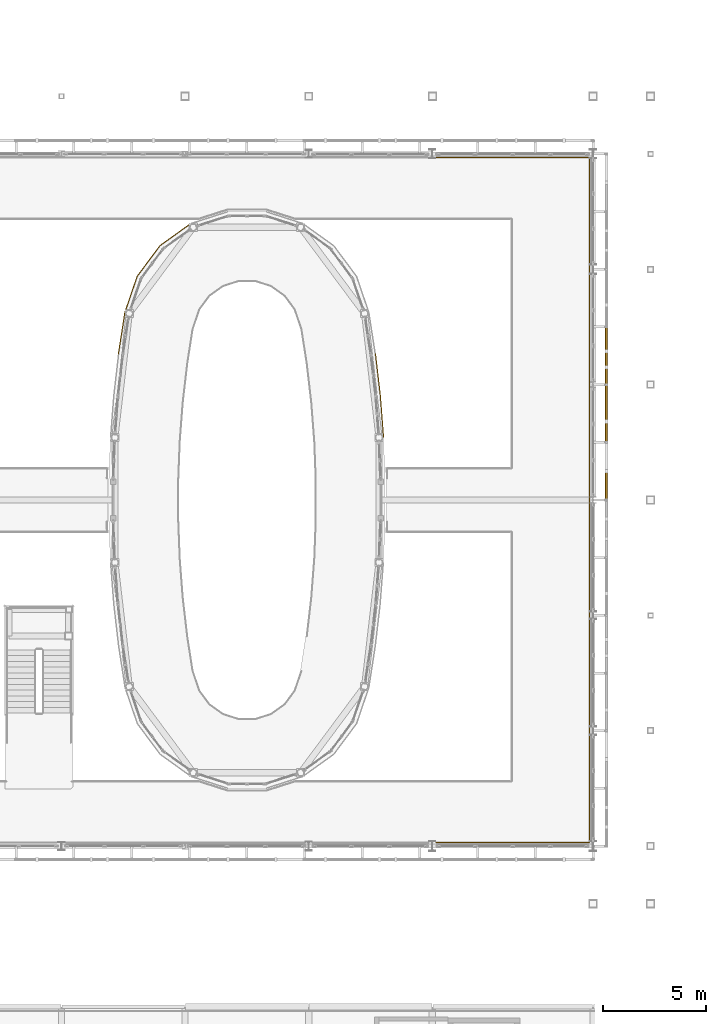
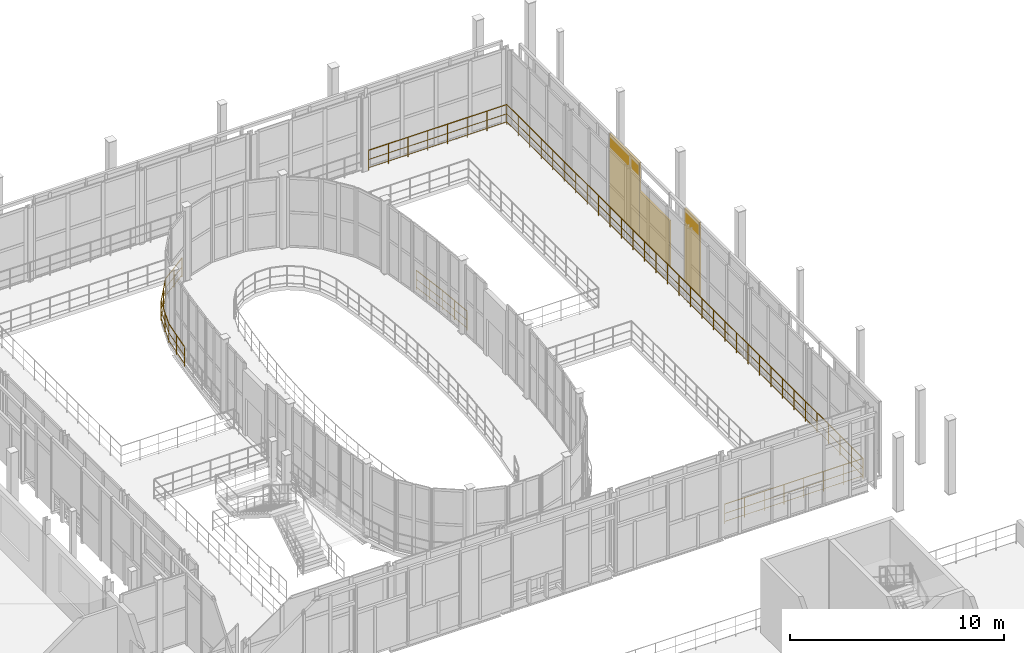
# One storey, part 134 of 138: 7 railings, 3 shading devices.
"""IFC4 building model written with IfcOpenShell, lengths in metres."""

import ifcopenshell
import ifcopenshell.guid

model = None  # the IFC model being written
_history = None  # IfcOwnerHistory: only IFC2X3 demands one
_inside = {}  # id of a spatial element -> (the spatial element, [elements in it])
_under = {}  # id of a project, library or spatial element -> (it, [spatial elements below it])
_declared = {}  # id of a project -> (the project, [libraries it declares])
_typed = {}  # id of a type object -> (the type object, [elements of that type])
_made_of = {}  # id of a material, layer set ... -> (it, [elements and type objects made of it])


def new_model(schema):
    """Start an empty IFC model of exactly this schema.

    Asked for "IFC4X3", IfcOpenShell would pick the latest addendum, in which some entities
    have other attributes; the version numbers below select the first issue.
    IFC2X3 requires an IfcOwnerHistory on every rooted entity: one is made here for all.
    """
    global model, _history
    if schema == "IFC4X3":
        model = ifcopenshell.file(schema_version=(4, 3, 0, 0))
    else:
        model = ifcopenshell.file(schema=schema)
    _inside.clear()
    _under.clear()
    _declared.clear()
    _typed.clear()
    _made_of.clear()
    _history = None
    if model.schema == "IFC2X3":
        org = make("IfcOrganization", Name="unknown")
        user = make(
            "IfcPersonAndOrganization",
            ThePerson=make("IfcPerson", FamilyName="unknown"),
            TheOrganization=org,
        )
        app = make(
            "IfcApplication",
            ApplicationDeveloper=org,
            Version="unknown",
            ApplicationFullName="unknown",
            ApplicationIdentifier="unknown",
        )
        _history = make(
            "IfcOwnerHistory",
            OwningUser=user,
            OwningApplication=app,
            ChangeAction="ADDED",
            CreationDate=0,
        )
    return model


def make(cls, **values):
    """One entity of the class cls with the attributes given. An attribute that is None is left unset."""
    return model.create_entity(
        cls, **{name: value for name, value in values.items() if value is not None}
    )


def rooted(cls, **values):
    """An entity with a GlobalId (a new one), such as an element, a storey or a relation."""
    return make(cls, GlobalId=ifcopenshell.guid.new(), OwnerHistory=_history, **values)


def si_unit(unit_type, name, prefix=None):
    """IfcSIUnit, for example si_unit("LENGTHUNIT", "METRE", prefix="MILLI")."""
    return make("IfcSIUnit", UnitType=unit_type, Prefix=prefix, Name=name)


def assignment(units):
    """IfcUnitAssignment: the units of a project."""
    return None if units is None else make("IfcUnitAssignment", Units=units)


def point(xyz):
    """IfcCartesianPoint."""
    return None if xyz is None else make("IfcCartesianPoint", Coordinates=xyz)


def direction(xyz):
    """IfcDirection."""
    return None if xyz is None else make("IfcDirection", DirectionRatios=xyz)


def frame(location, z_axis=None, x_axis=None):
    """IfcAxis2Placement3D, a coordinate frame: its origin and axes. An axis left out is left unset."""
    return make(
        "IfcAxis2Placement3D",
        Location=point(location),
        Axis=direction(z_axis),
        RefDirection=direction(x_axis),
    )


def frame_2d(location, x_axis=None):
    """IfcAxis2Placement2D, a coordinate frame in the plane: its origin and x axis."""
    return make(
        "IfcAxis2Placement2D", Location=point(location), RefDirection=direction(x_axis)
    )


def origin():
    """The frame at (0, 0, 0) with its axes left unset."""
    return frame((0.0, 0.0, 0.0))


def origin_2d():
    """The frame at (0, 0) in the plane with its x axis left unset."""
    return frame_2d((0.0, 0.0))


def place(relative_to, where):
    """IfcLocalPlacement: puts the frame where relative to a parent placement (None: the world)."""
    return make(
        "IfcLocalPlacement", PlacementRelTo=relative_to, RelativePlacement=where
    )


def context(
    kind, dimensions, precision=None, world=None, true_north=None, identifier=None
):
    """IfcGeometricRepresentationContext, for example the 3D "Model" context."""
    return make(
        "IfcGeometricRepresentationContext",
        ContextIdentifier=identifier,
        ContextType=kind,
        CoordinateSpaceDimension=dimensions,
        Precision=precision,
        WorldCoordinateSystem=world,
        TrueNorth=true_north,
    )


def subcontext(parent, identifier, kind, view, scale=None):
    """IfcGeometricRepresentationSubContext, for example "Body" below "Model"."""
    return make(
        "IfcGeometricRepresentationSubContext",
        ContextIdentifier=identifier,
        ContextType=kind,
        ParentContext=parent,
        TargetScale=scale,
        TargetView=view,
    )


def project(units=None, contexts=None):
    """IfcProject with its units and contexts."""
    return rooted(
        "IfcProject",
        Name="project",
        RepresentationContexts=contexts,
        UnitsInContext=assignment(units),
    )


def spatial(cls, under=None, at=None, **own):
    """A site, building, storey or space (cls), placed at a placement, below another one or the project."""
    s = rooted(cls, ObjectPlacement=at, **own)
    if under is not None:
        _under.setdefault(under.id(), (under, []))[1].append(s)
    return s


def profile(cls, at=None, kind="AREA", **sizes):
    """A parametric profile (cls). Its sizes go by their IFC names, for example OverallWidth=200.0."""
    return make(cls, ProfileType=kind, Position=at, **sizes)


def rectangle(**sizes):
    """IfcRectangleProfileDef."""
    return profile("IfcRectangleProfileDef", **sizes)


def circle(**sizes):
    """IfcCircleProfileDef."""
    return profile("IfcCircleProfileDef", **sizes)


def extrude(swept, where, along, depth):
    """IfcExtrudedAreaSolid: the profile swept, set in the frame where, extruded along a direction by depth."""
    return make(
        "IfcExtrudedAreaSolid",
        SweptArea=swept,
        Position=where,
        ExtrudedDirection=direction(along),
        Depth=depth,
    )


def shape(context_of_items, identifier, shape_type, items):
    """IfcShapeRepresentation: the items that make up one representation, for example the "Body"."""
    return make(
        "IfcShapeRepresentation",
        ContextOfItems=context_of_items,
        RepresentationIdentifier=identifier,
        RepresentationType=shape_type,
        Items=items,
    )


def material(Name=None, Category=None):
    """IfcMaterial."""
    return make("IfcMaterial", Name=Name, Category=Category)


def made_of(thing, what):
    """Note that an element or type object is made of a material, layer set ...; save() writes the relation."""
    if what is not None:
        _made_of.setdefault(what.id(), (what, []))[1].append(thing)
    return thing


def type_object(cls, material=None, **own):
    """A type object (cls), such as IfcWallType, which elements share."""
    return made_of(rooted(cls, **own), material)


def element(
    cls,
    number,
    at=None,
    inside=None,
    cuts=None,
    type_object=None,
    material=None,
    context=None,
    identifier="Body",
    shape_type=None,
    held_by="IfcProductDefinitionShape",
    body=None,
    shapes=None,
    **own,
):
    """One element of the class cls, such as IfcWall. Its Tag is "e" and its number.

    at: its placement. inside: the storey or other place that contains it. cuts: it is an
    opening in that element (IfcRelVoidsElement). A single representation is given by context,
    identifier, shape_type and body (its items); several are given by shapes. held_by: the class
    of the entity that holds the representations. save() writes the other relations.
    """
    e = rooted(cls, Tag="e%d" % number, ObjectPlacement=at, **own)
    if body is not None:
        shapes = [shape(context, identifier, shape_type, body)]
    if shapes is not None:
        e.Representation = make(held_by, Representations=shapes)
    if inside is not None:
        _inside.setdefault(inside.id(), (inside, []))[1].append(e)
    if cuts is not None:
        rooted(
            "IfcRelVoidsElement", RelatingBuildingElement=cuts, RelatedOpeningElement=e
        )
    if type_object is not None:
        _typed.setdefault(type_object.id(), (type_object, []))[1].append(e)
    return made_of(e, material)


def aggregate(whole, parts):
    """IfcRelAggregates: a whole, such as a stair, and the parts it consists of."""
    return rooted("IfcRelAggregates", RelatingObject=whole, RelatedObjects=parts)


def save(model, path):
    """Write the relations noted so far, then the file.

    IfcRelAggregates (storeys below a building ...), IfcRelContainedInSpatialStructure (elements
    in a storey), IfcRelDefinesByType, IfcRelAssociatesMaterial and IfcRelDeclares: one each for
    every whole, place, type object, material and project.
    """
    for whole, parts in _under.values():
        aggregate(whole, parts)
    for where, things in _inside.values():
        rooted(
            "IfcRelContainedInSpatialStructure",
            RelatedElements=things,
            RelatingStructure=where,
        )
    for kind, things in _typed.values():
        rooted("IfcRelDefinesByType", RelatedObjects=things, RelatingType=kind)
    for what, things in _made_of.values():
        rooted("IfcRelAssociatesMaterial", RelatedObjects=things, RelatingMaterial=what)
    for by, libraries in _declared.values():
        rooted("IfcRelDeclares", RelatingContext=by, RelatedDefinitions=libraries)
    model.write(path)


model = new_model("IFC4")

# Units and contexts
model_context = context("Model", 3, precision=1e-05, world=origin(), true_north=direction((0.0, 1.0)))
body_context = subcontext(model_context, "Body", "Model", "MODEL_VIEW")
ifc_project = project(units=[si_unit("LENGTHUNIT", "METRE"), si_unit("AREAUNIT", "SQUARE_METRE"), si_unit("VOLUMEUNIT", "CUBIC_METRE"), si_unit("PLANEANGLEUNIT", "RADIAN"), si_unit("MASSUNIT", "GRAM", prefix="KILO")], contexts=[model_context])

# Site, building, storey
site_placement = place(None, origin())
site = spatial("IfcSite", under=ifc_project, at=site_placement, CompositionType="ELEMENT")
building_placement = place(site_placement, origin())
building = spatial("IfcBuilding", under=site, at=building_placement, Name="Vinh Khe Railworks Police Headquarters", CompositionType="ELEMENT")
storey_placement = place(building_placement, frame((0.0, 0.0, 9.0)))
storey = spatial("IfcBuildingStorey", under=building, at=storey_placement, Name="L02", CompositionType="ELEMENT", Elevation=9.0)

# Railings
ifc_material_1 = material(Name="Dark steel and laminated safety glass", Category="steel")
railing_type_1 = type_object("IfcRailingType", Name="RL-ATRIUM-1150", PredefinedType="BALUSTRADE", material=ifc_material_1)
railing_1_placement = place(storey_placement, frame((52.375, 25.3798828125, 0.0)))
element("IfcRailing", 1, at=railing_1_placement, inside=storey, type_object=railing_type_1, Name="Atrium Balustrade GR-V1PERIM-L02-04", PredefinedType="BALUSTRADE", context=body_context, shape_type="SweptSolid", body=[
    extrude(circle(Radius=0.02392578125, at=origin_2d()), frame((0.0, 0.0, 1.1259765625), z_axis=(1.0, 0.0, 0.0), x_axis=(0.0, 1.0, 0.0)), (0.0, 0.0, 1.0), 7.445068359375),
    extrude(circle(Radius=0.01416015625, at=origin_2d()), frame((0.0, 0.0, 0.137939453125), z_axis=(1.0, 0.0, 0.0), x_axis=(0.0, 1.0, 0.0)), (0.0, 0.0, 1.0), 7.445068359375),
    extrude(circle(Radius=0.01416015625, at=origin_2d()), frame((0.0, 0.0, 0.597900390625), z_axis=(1.0, 0.0, 0.0), x_axis=(0.0, 1.0, 0.0)), (0.0, 0.0, 1.0), 7.445068359375),
    extrude(circle(Radius=0.02392578125, at=origin_2d()), frame((7.445068359375, 0.0, 1.1259765625), z_axis=(0.0, 1.0, 0.0), x_axis=(-1.0, 0.0, 0.0)), (0.0, 0.0, 1.0), 33.240234375),
    extrude(circle(Radius=0.01416015625, at=origin_2d()), frame((7.445068359375, 0.0, 0.137939453125), z_axis=(0.0, 1.0, 0.0), x_axis=(-1.0, 0.0, 0.0)), (0.0, 0.0, 1.0), 33.240234375),
    extrude(circle(Radius=0.01416015625, at=origin_2d()), frame((7.445068359375, 0.0, 0.597900390625), z_axis=(0.0, 1.0, 0.0), x_axis=(-1.0, 0.0, 0.0)), (0.0, 0.0, 1.0), 33.240234375),
    extrude(circle(Radius=0.02392578125, at=origin_2d()), frame((7.445068359375, 33.240234375, 1.1259765625), z_axis=(-1.0, 0.0, 0.0), x_axis=(0.0, -1.0, 0.0)), (0.0, 0.0, 1.0), 7.445068359375),
    extrude(circle(Radius=0.01416015625, at=origin_2d()), frame((7.445068359375, 33.240234375, 0.137939453125), z_axis=(-1.0, 0.0, 0.0), x_axis=(0.0, -1.0, 0.0)), (0.0, 0.0, 1.0), 7.445068359375),
    extrude(circle(Radius=0.01416015625, at=origin_2d()), frame((7.445068359375, 33.240234375, 0.597900390625), z_axis=(-1.0, 0.0, 0.0), x_axis=(0.0, -1.0, 0.0)), (0.0, 0.0, 1.0), 7.445068359375),
    extrude(circle(Radius=0.02099609375, at=origin_2d()), origin(), (0.0, 0.0, 1.0), 1.101806640625),
    extrude(circle(Radius=0.02099609375, at=origin_2d()), frame((1.0634765625, 0.0, 0.0)), (0.0, 0.0, 1.0), 1.101806640625),
    extrude(circle(Radius=0.02099609375, at=origin_2d()), frame((2.127197265625, 0.0, 0.0)), (0.0, 0.0, 1.0), 1.101806640625),
    extrude(circle(Radius=0.02099609375, at=origin_2d()), frame((3.190673828125, 0.0, 0.0)), (0.0, 0.0, 1.0), 1.101806640625),
    extrude(circle(Radius=0.02099609375, at=origin_2d()), frame((4.25439453125, 0.0, 0.0)), (0.0, 0.0, 1.0), 1.101806640625),
    extrude(circle(Radius=0.02099609375, at=origin_2d()), frame((5.31787109375, 0.0, 0.0)), (0.0, 0.0, 1.0), 1.101806640625),
    extrude(circle(Radius=0.02099609375, at=origin_2d()), frame((6.381591796875, 0.0, 0.0)), (0.0, 0.0, 1.0), 1.101806640625),
    extrude(circle(Radius=0.02099609375, at=origin_2d()), frame((7.445068359375, 0.0, 0.0)), (0.0, 0.0, 1.0), 1.101806640625),
    extrude(circle(Radius=0.02099609375, at=origin_2d()), frame((7.445068359375, 1.072265625, 0.0)), (0.0, 0.0, 1.0), 1.101806640625),
    extrude(circle(Radius=0.02099609375, at=origin_2d()), frame((7.445068359375, 2.14453125, 0.0)), (0.0, 0.0, 1.0), 1.101806640625),
    extrude(circle(Radius=0.02099609375, at=origin_2d()), frame((7.445068359375, 3.216796875, 0.0)), (0.0, 0.0, 1.0), 1.101806640625),
    extrude(circle(Radius=0.02099609375, at=origin_2d()), frame((7.445068359375, 4.2890625, 0.0)), (0.0, 0.0, 1.0), 1.101806640625),
    extrude(circle(Radius=0.02099609375, at=origin_2d()), frame((7.445068359375, 5.361328125, 0.0)), (0.0, 0.0, 1.0), 1.101806640625),
    extrude(circle(Radius=0.02099609375, at=origin_2d()), frame((7.445068359375, 6.43359375, 0.0)), (0.0, 0.0, 1.0), 1.101806640625),
    extrude(circle(Radius=0.02099609375, at=origin_2d()), frame((7.445068359375, 7.505859375, 0.0)), (0.0, 0.0, 1.0), 1.101806640625),
    extrude(circle(Radius=0.02099609375, at=origin_2d()), frame((7.445068359375, 8.578125, 0.0)), (0.0, 0.0, 1.0), 1.101806640625),
    extrude(circle(Radius=0.02099609375, at=origin_2d()), frame((7.445068359375, 9.650390625, 0.0)), (0.0, 0.0, 1.0), 1.101806640625),
    extrude(circle(Radius=0.02099609375, at=origin_2d()), frame((7.445068359375, 10.72265625, 0.0)), (0.0, 0.0, 1.0), 1.101806640625),
    extrude(circle(Radius=0.02099609375, at=origin_2d()), frame((7.445068359375, 11.794921875, 0.0)), (0.0, 0.0, 1.0), 1.101806640625),
    extrude(circle(Radius=0.02099609375, at=origin_2d()), frame((7.445068359375, 12.8671875, 0.0)), (0.0, 0.0, 1.0), 1.101806640625),
    extrude(circle(Radius=0.02099609375, at=origin_2d()), frame((7.445068359375, 13.939453125, 0.0)), (0.0, 0.0, 1.0), 1.101806640625),
    extrude(circle(Radius=0.02099609375, at=origin_2d()), frame((7.445068359375, 15.01171875, 0.0)), (0.0, 0.0, 1.0), 1.101806640625),
    extrude(circle(Radius=0.02099609375, at=origin_2d()), frame((7.445068359375, 16.083984375, 0.0)), (0.0, 0.0, 1.0), 1.101806640625),
    extrude(circle(Radius=0.02099609375, at=origin_2d()), frame((7.445068359375, 17.15625, 0.0)), (0.0, 0.0, 1.0), 1.101806640625),
    extrude(circle(Radius=0.02099609375, at=origin_2d()), frame((7.445068359375, 18.228515625, 0.0)), (0.0, 0.0, 1.0), 1.101806640625),
    extrude(circle(Radius=0.02099609375, at=origin_2d()), frame((7.445068359375, 19.30078125, 0.0)), (0.0, 0.0, 1.0), 1.101806640625),
    extrude(circle(Radius=0.02099609375, at=origin_2d()), frame((7.445068359375, 20.373046875, 0.0)), (0.0, 0.0, 1.0), 1.101806640625),
    extrude(circle(Radius=0.02099609375, at=origin_2d()), frame((7.445068359375, 21.4453125, 0.0)), (0.0, 0.0, 1.0), 1.101806640625),
    extrude(circle(Radius=0.02099609375, at=origin_2d()), frame((7.445068359375, 22.517578125, 0.0)), (0.0, 0.0, 1.0), 1.101806640625),
    extrude(circle(Radius=0.02099609375, at=origin_2d()), frame((7.445068359375, 23.58984375, 0.0)), (0.0, 0.0, 1.0), 1.101806640625),
    extrude(circle(Radius=0.02099609375, at=origin_2d()), frame((7.445068359375, 24.662109375, 0.0)), (0.0, 0.0, 1.0), 1.101806640625),
    extrude(circle(Radius=0.02099609375, at=origin_2d()), frame((7.445068359375, 25.734375, 0.0)), (0.0, 0.0, 1.0), 1.101806640625),
    extrude(circle(Radius=0.02099609375, at=origin_2d()), frame((7.445068359375, 26.806640625, 0.0)), (0.0, 0.0, 1.0), 1.101806640625),
    extrude(circle(Radius=0.02099609375, at=origin_2d()), frame((7.445068359375, 27.87890625, 0.0)), (0.0, 0.0, 1.0), 1.101806640625),
    extrude(circle(Radius=0.02099609375, at=origin_2d()), frame((7.445068359375, 28.951171875, 0.0)), (0.0, 0.0, 1.0), 1.101806640625),
    extrude(circle(Radius=0.02099609375, at=origin_2d()), frame((7.445068359375, 30.0234375, 0.0)), (0.0, 0.0, 1.0), 1.101806640625),
    extrude(circle(Radius=0.02099609375, at=origin_2d()), frame((7.445068359375, 31.095703125, 0.0)), (0.0, 0.0, 1.0), 1.101806640625),
    extrude(circle(Radius=0.02099609375, at=origin_2d()), frame((7.445068359375, 32.16796875, 0.0)), (0.0, 0.0, 1.0), 1.101806640625),
    extrude(circle(Radius=0.02099609375, at=origin_2d()), frame((7.445068359375, 33.240234375, 0.0)), (0.0, 0.0, 1.0), 1.101806640625),
    extrude(circle(Radius=0.02099609375, at=origin_2d()), frame((6.381591796875, 33.240234375, 0.0)), (0.0, 0.0, 1.0), 1.101806640625),
    extrude(circle(Radius=0.02099609375, at=origin_2d()), frame((5.31787109375, 33.240234375, 0.0)), (0.0, 0.0, 1.0), 1.101806640625),
    extrude(circle(Radius=0.02099609375, at=origin_2d()), frame((4.25439453125, 33.240234375, 0.0)), (0.0, 0.0, 1.0), 1.101806640625),
    extrude(circle(Radius=0.02099609375, at=origin_2d()), frame((3.190673828125, 33.240234375, 0.0)), (0.0, 0.0, 1.0), 1.101806640625),
    extrude(circle(Radius=0.02099609375, at=origin_2d()), frame((2.127197265625, 33.240234375, 0.0)), (0.0, 0.0, 1.0), 1.101806640625),
    extrude(circle(Radius=0.02099609375, at=origin_2d()), frame((1.0634765625, 33.240234375, 0.0)), (0.0, 0.0, 1.0), 1.101806640625),
    extrude(circle(Radius=0.02099609375, at=origin_2d()), frame((0.0, 33.240234375, 0.0)), (0.0, 0.0, 1.0), 1.101806640625),
])
ifc_material_2 = material(Name="Painted tubular steel", Category="steel")
railing_type_2 = type_object("IfcRailingType", Name="RL-GUARD-1100", PredefinedType="GUARDRAIL", material=ifc_material_2)
railing_2_placement = place(storey_placement, frame((49.83203125, 45.044921875, 0.0)))
element("IfcRailing", 2, at=railing_2_placement, inside=storey, type_object=railing_type_2, Name="Slab Corner Notch Guard L02-59", PredefinedType="GUARDRAIL", context=body_context, shape_type="SweptSolid", body=[
    extrude(circle(Radius=0.02392578125, at=origin_2d()), frame((0.0, 0.0, 1.09619140625), z_axis=(-0.076944728121, 0.997035359862, 0.0), x_axis=(-0.997035359862, -0.076944728121, 0.0)), (0.0, 0.0, 1.0), 2.03076171875),
    extrude(circle(Radius=0.01416015625, at=origin_2d()), frame((0.0, 0.0, 0.134521484375), z_axis=(-0.076944728121, 0.997035359862, 0.0), x_axis=(-0.997035359862, -0.076944728121, 0.0)), (0.0, 0.0, 1.0), 2.03076171875),
    extrude(circle(Radius=0.01416015625, at=origin_2d()), frame((0.0, 0.0, 0.58251953125), z_axis=(-0.076944728121, 0.997035359862, 0.0), x_axis=(-0.997035359862, -0.076944728121, 0.0)), (0.0, 0.0, 1.0), 2.03076171875),
    extrude(circle(Radius=0.02099609375, at=origin_2d()), origin(), (0.0, 0.0, 1.0), 1.072021484375),
    extrude(circle(Radius=0.02099609375, at=origin_2d()), frame((-0.078125, 1.01220703125, 0.0)), (0.0, 0.0, 1.0), 1.072021484375),
    extrude(circle(Radius=0.02099609375, at=origin_2d()), frame((-0.15625, 2.024658203125, 0.0)), (0.0, 0.0, 1.0), 1.072021484375),
])
railing_3_placement = place(storey_placement, frame((49.67578125, 47.069580078125, 0.0)))
element("IfcRailing", 3, at=railing_3_placement, inside=storey, type_object=railing_type_2, Name="Slab Corner Notch Guard L02-60", PredefinedType="GUARDRAIL", context=body_context, shape_type="SweptSolid", body=[
    extrude(circle(Radius=0.02392578125, at=origin_2d()), frame((0.0, 0.0, 1.09619140625), z_axis=(-0.115404315309, 0.993318601461, 0.0), x_axis=(-0.993318601461, -0.115404315309, 0.0)), (0.0, 0.0, 1.0), 2.031005859375),
    extrude(circle(Radius=0.01416015625, at=origin_2d()), frame((0.0, 0.0, 0.134521484375), z_axis=(-0.115404315309, 0.993318601461, 0.0), x_axis=(-0.993318601461, -0.115404315309, 0.0)), (0.0, 0.0, 1.0), 2.031005859375),
    extrude(circle(Radius=0.01416015625, at=origin_2d()), frame((0.0, 0.0, 0.58251953125), z_axis=(-0.115404315309, 0.993318601461, 0.0), x_axis=(-0.993318601461, -0.115404315309, 0.0)), (0.0, 0.0, 1.0), 2.031005859375),
    extrude(circle(Radius=0.02099609375, at=origin_2d()), origin(), (0.0, 0.0, 1.0), 1.072021484375),
    extrude(circle(Radius=0.02099609375, at=origin_2d()), frame((-0.1171875, 1.0087890625, 0.0)), (0.0, 0.0, 1.0), 1.072021484375),
    extrude(circle(Radius=0.02099609375, at=origin_2d()), frame((-0.234375, 2.017333984375, 0.0)), (0.0, 0.0, 1.0), 1.072021484375),
])
railing_4_placement = place(storey_placement, frame((40.494873046875, 55.436279296875, 0.0)))
element("IfcRailing", 4, at=railing_4_placement, inside=storey, type_object=railing_type_2, Name="Slab Corner Notch Guard L02-67", PredefinedType="GUARDRAIL", context=body_context, shape_type="SweptSolid", body=[
    extrude(circle(Radius=0.02392578125, at=origin_2d()), frame((0.0, 0.0, 1.09619140625), z_axis=(-0.813308151852, -0.581833180672, 0.0), x_axis=(0.581833180672, -0.813308151852, 0.0)), (0.0, 0.0, 1.0), 1.862548828125),
    extrude(circle(Radius=0.01416015625, at=origin_2d()), frame((0.0, 0.0, 0.134521484375), z_axis=(-0.813308151852, -0.581833180672, 0.0), x_axis=(0.581833180672, -0.813308151852, 0.0)), (0.0, 0.0, 1.0), 1.862548828125),
    extrude(circle(Radius=0.01416015625, at=origin_2d()), frame((0.0, 0.0, 0.58251953125), z_axis=(-0.813308151852, -0.581833180672, 0.0), x_axis=(0.581833180672, -0.813308151852, 0.0)), (0.0, 0.0, 1.0), 1.862548828125),
    extrude(circle(Radius=0.02099609375, at=origin_2d()), origin(), (0.0, 0.0, 1.0), 1.072021484375),
    extrude(circle(Radius=0.02099609375, at=origin_2d()), frame((-0.75732421875, -0.5419921875, 0.0)), (0.0, 0.0, 1.0), 1.072021484375),
    extrude(circle(Radius=0.02099609375, at=origin_2d()), frame((-1.514892578125, -1.083740234375, 0.0)), (0.0, 0.0, 1.0), 1.072021484375),
])
railing_5_placement = place(storey_placement, frame((38.97998046875, 54.3525390625, 0.0)))
element("IfcRailing", 5, at=railing_5_placement, inside=storey, type_object=railing_type_2, Name="Slab Corner Notch Guard L02-68", PredefinedType="GUARDRAIL", context=body_context, shape_type="SweptSolid", body=[
    extrude(circle(Radius=0.02392578125, at=origin_2d()), frame((0.0, 0.0, 1.09619140625), z_axis=(-0.596471188122, -0.802634488257, 0.0), x_axis=(0.802634488257, -0.596471188122, 0.0)), (0.0, 0.0, 1.0), 1.86279296875),
    extrude(circle(Radius=0.01416015625, at=origin_2d()), frame((0.0, 0.0, 0.134521484375), z_axis=(-0.596471188122, -0.802634488257, 0.0), x_axis=(0.802634488257, -0.596471188122, 0.0)), (0.0, 0.0, 1.0), 1.86279296875),
    extrude(circle(Radius=0.01416015625, at=origin_2d()), frame((0.0, 0.0, 0.58251953125), z_axis=(-0.596471188122, -0.802634488257, 0.0), x_axis=(0.802634488257, -0.596471188122, 0.0)), (0.0, 0.0, 1.0), 1.86279296875),
    extrude(circle(Radius=0.02099609375, at=origin_2d()), origin(), (0.0, 0.0, 1.0), 1.072021484375),
    extrude(circle(Radius=0.02099609375, at=origin_2d()), frame((-0.5556640625, -0.74755859375, 0.0)), (0.0, 0.0, 1.0), 1.072021484375),
    extrude(circle(Radius=0.02099609375, at=origin_2d()), frame((-1.111083984375, -1.4951171875, 0.0)), (0.0, 0.0, 1.0), 1.072021484375),
])
railing_6_placement = place(storey_placement, frame((37.868896484375, 52.857421875, 0.0)))
element("IfcRailing", 6, at=railing_6_placement, inside=storey, type_object=railing_type_2, Name="Slab Corner Notch Guard L02-69", PredefinedType="GUARDRAIL", context=body_context, shape_type="SweptSolid", body=[
    extrude(circle(Radius=0.02392578125, at=origin_2d()), frame((0.0, 0.0, 1.09619140625), z_axis=(-0.322800371267, -0.946467073019, 0.0), x_axis=(0.946467073019, -0.322800371267, 0.0)), (0.0, 0.0, 1.0), 1.84765625),
    extrude(circle(Radius=0.01416015625, at=origin_2d()), frame((0.0, 0.0, 0.134521484375), z_axis=(-0.322800371267, -0.946467073019, 0.0), x_axis=(0.946467073019, -0.322800371267, 0.0)), (0.0, 0.0, 1.0), 1.84765625),
    extrude(circle(Radius=0.01416015625, at=origin_2d()), frame((0.0, 0.0, 0.58251953125), z_axis=(-0.322800371267, -0.946467073019, 0.0), x_axis=(0.946467073019, -0.322800371267, 0.0)), (0.0, 0.0, 1.0), 1.84765625),
    extrude(circle(Radius=0.02099609375, at=origin_2d()), origin(), (0.0, 0.0, 1.0), 1.072021484375),
    extrude(circle(Radius=0.02099609375, at=origin_2d()), frame((-0.29833984375, -0.87451171875, 0.0)), (0.0, 0.0, 1.0), 1.072021484375),
    extrude(circle(Radius=0.02099609375, at=origin_2d()), frame((-0.596435546875, -1.748779296875, 0.0)), (0.0, 0.0, 1.0), 1.072021484375),
])
railing_7_placement = place(storey_placement, frame((37.2724609375, 51.108642578125, 0.0)))
element("IfcRailing", 7, at=railing_7_placement, inside=storey, type_object=railing_type_2, Name="Slab Corner Notch Guard L02-70", PredefinedType="GUARDRAIL", context=body_context, shape_type="SweptSolid", body=[
    extrude(circle(Radius=0.02392578125, at=origin_2d()), frame((0.0, 0.0, 1.09619140625), z_axis=(-0.153455860094, -0.988155503452, 0.0), x_axis=(0.988155503452, -0.153455860094, 0.0)), (0.0, 0.0, 1.0), 2.0458984375),
    extrude(circle(Radius=0.01416015625, at=origin_2d()), frame((0.0, 0.0, 0.134521484375), z_axis=(-0.153455860094, -0.988155503452, 0.0), x_axis=(0.988155503452, -0.153455860094, 0.0)), (0.0, 0.0, 1.0), 2.0458984375),
    extrude(circle(Radius=0.01416015625, at=origin_2d()), frame((0.0, 0.0, 0.58251953125), z_axis=(-0.153455860094, -0.988155503452, 0.0), x_axis=(0.988155503452, -0.153455860094, 0.0)), (0.0, 0.0, 1.0), 2.0458984375),
    extrude(circle(Radius=0.02099609375, at=origin_2d()), origin(), (0.0, 0.0, 1.0), 1.072021484375),
    extrude(circle(Radius=0.02099609375, at=origin_2d()), frame((-0.156982421875, -1.0107421875, 0.0)), (0.0, 0.0, 1.0), 1.072021484375),
    extrude(circle(Radius=0.02099609375, at=origin_2d()), frame((-0.31396484375, -2.021728515625, 0.0)), (0.0, 0.0, 1.0), 1.072021484375),
])

# Shading devices
ifc_material_3 = material(Name="Salvaged ironwood timber", Category="wood")
shading_device_type_1 = type_object("IfcShadingDeviceType", Name="SHD-QS-01", PredefinedType="JALOUSIE", material=ifc_material_3)
shading_device_1_placement = place(storey_placement, frame((60.64990234375, 46.199951171875, 0.0), z_axis=(0.0, 0.0, 1.0), x_axis=(0.0, 1.0, 0.0)))
element("IfcShadingDevice", 8, at=shading_device_1_placement, inside=storey, type_object=shading_device_type_1, Name="Salvaged Ironwood Quilt Casement E-8", PredefinedType="JALOUSIE", context=body_context, shape_type="SweptSolid", body=[
    extrude(rectangle(XDim=2.800048828125, YDim=0.090087890625, at=origin_2d()), origin(), (0.0, 0.0, 1.0), 2.60400390625),
])
shading_device_type_2 = type_object("IfcShadingDeviceType", Name="SHD-QS-02", PredefinedType="JALOUSIE", material=ifc_material_3)
shading_device_2_placement = place(storey_placement, frame((60.64990234375, 42.699951171875, 0.0), z_axis=(0.0, 0.0, 1.0), x_axis=(0.0, 1.0, 0.0)))
element("IfcShadingDevice", 9, at=shading_device_2_placement, inside=storey, type_object=shading_device_type_2, Name="Ironwood Tall Quilt Casement E-7L", PredefinedType="JALOUSIE", context=body_context, shape_type="SweptSolid", body=[
    extrude(rectangle(XDim=1.39990234375, YDim=0.090087890625, at=origin_2d()), origin(), (0.0, 0.0, 1.0), 4.199951171875),
])
shading_device_type_3 = type_object("IfcShadingDeviceType", Name="SHD-QS-04", PredefinedType="SHUTTER", material=ifc_material_3)
shading_device_3_placement = place(storey_placement, frame((60.64990234375, 49.0, 0.0), z_axis=(0.0, 0.0, 1.0), x_axis=(0.0, 1.0, 0.0)))
element("IfcShadingDevice", 10, at=shading_device_3_placement, inside=storey, type_object=shading_device_type_3, Name="Shuttered Ironwood Casement E-9", PredefinedType="SHUTTER", context=body_context, shape_type="SweptSolid", body=[
    extrude(rectangle(XDim=2.800048828125, YDim=0.090087890625, at=origin_2d()), origin(), (0.0, 0.0, 1.0), 4.199951171875),
])

save(model, "model.ifc")
